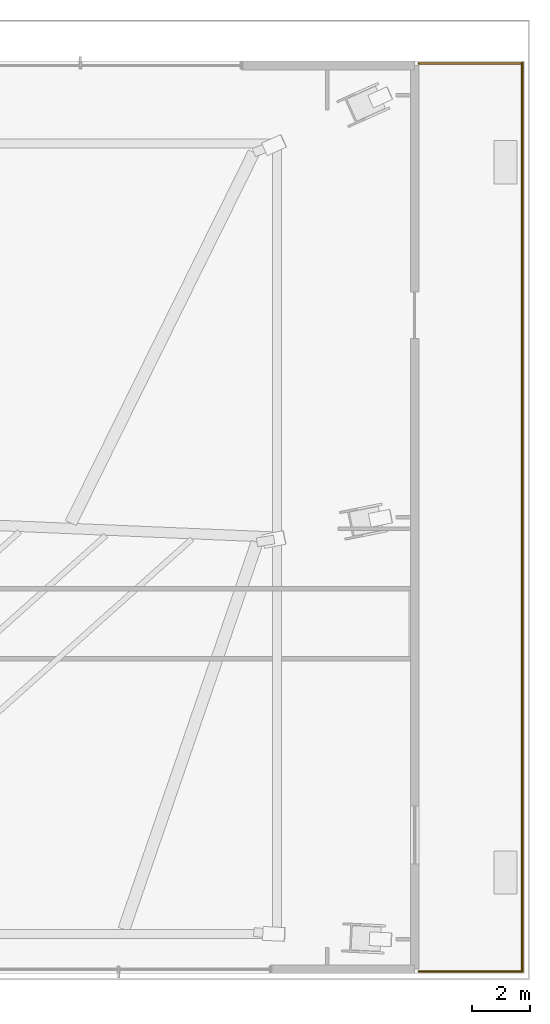
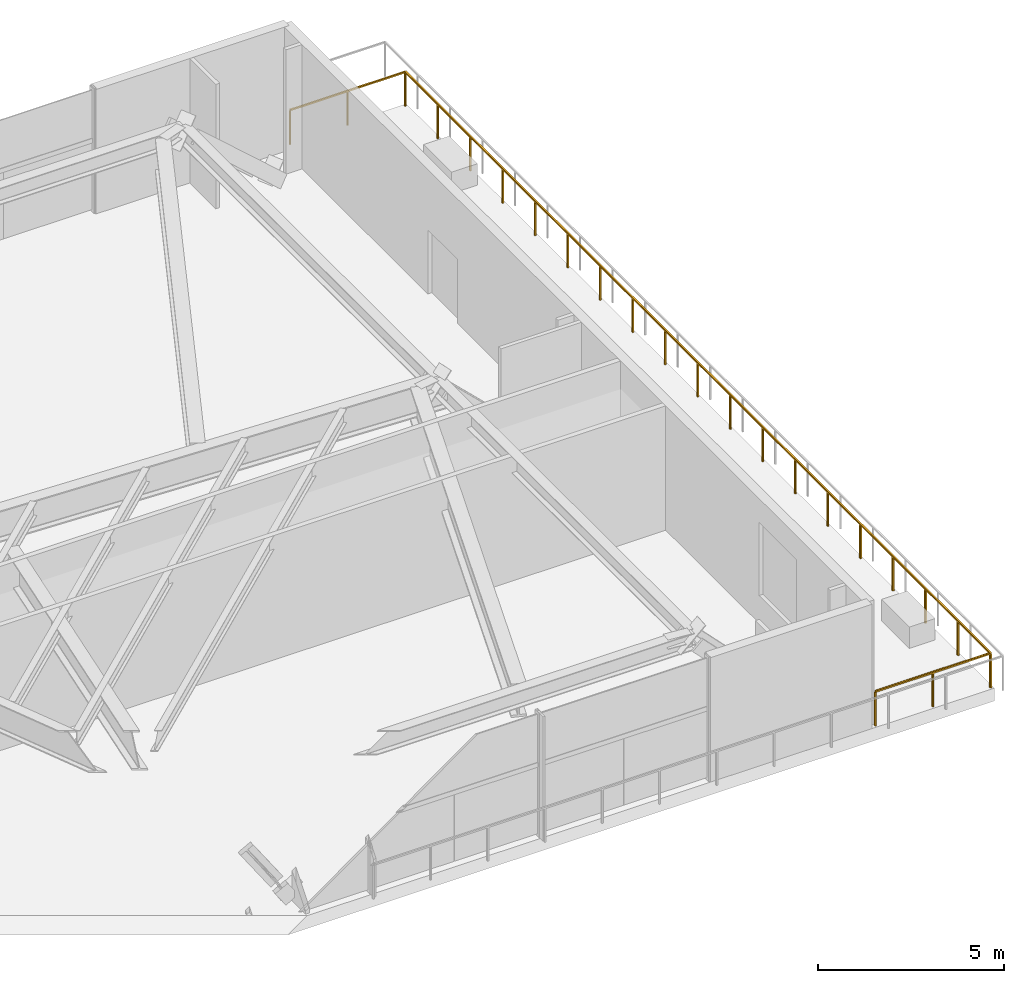
# One storey, part 29 of 30: 2 railings.
"""IFC4 building model written with IfcOpenShell, lengths in metres."""

from ifc_helpers import new_model, si_unit, direction, frame, origin, origin_2d, place, context, subcontext, project, spatial, rectangle, extrude, source, transform, mapped, material, type_object, type_shapes, element, save


model = new_model("IFC4")

# Units and contexts
model_context = context("Model", 3, precision=1e-05, world=origin(), true_north=direction((0.0, 1.0)))
body_context = subcontext(model_context, "Body", "Model", "MODEL_VIEW")
ifc_project = project(units=[si_unit("LENGTHUNIT", "METRE"), si_unit("AREAUNIT", "SQUARE_METRE"), si_unit("VOLUMEUNIT", "CUBIC_METRE"), si_unit("PLANEANGLEUNIT", "RADIAN"), si_unit("MASSUNIT", "GRAM", prefix="KILO")], contexts=[model_context])

# Site, building, storey
site_placement = place(None, origin())
site = spatial("IfcSite", under=ifc_project, at=site_placement, CompositionType="ELEMENT")
building_placement = place(site_placement, origin())
building = spatial("IfcBuilding", under=site, at=building_placement, Name="Astriad Promenade Condominiums", CompositionType="ELEMENT")
storey_placement = place(building_placement, frame((0.0, 0.0, 14.0)))
storey = spatial("IfcBuildingStorey", under=building, at=storey_placement, Name="L03", CompositionType="ELEMENT", Elevation=14.0)

# Railings
ifc_material = material(Name="Anodised Aluminium and Glass Terrace Guardrail", Category="aluminium")
railing_type = type_object("IfcRailingType", Name="GRD-TERR-1150", PredefinedType="GUARDRAIL", material=ifc_material)
shared_shape_1 = source(origin(), body_context, "Body", "SweptSolid", [
    extrude(rectangle(XDim=0.048095703125, YDim=0.048095703125, at=origin_2d()), frame((0.0, 0.0, 1.1259765625), z_axis=(1.0, 0.0, 0.0), x_axis=(0.0, 1.0, 0.0)), (0.0, 0.0, 1.0), 3.56982421875),
    extrude(rectangle(XDim=0.048095703125, YDim=0.048095703125, at=origin_2d()), frame((3.56982421875, 0.0, 1.1259765625), z_axis=(0.0, 1.0, 0.0), x_axis=(-1.0, 0.0, 0.0)), (0.0, 0.0, 1.0), 31.43994140625),
    extrude(rectangle(XDim=0.048095703125, YDim=0.048095703125, at=origin_2d()), frame((3.56982421875, 31.43994140625, 1.1259765625), z_axis=(-1.0, 0.0, 0.0), x_axis=(0.0, -1.0, 0.0)), (0.0, 0.0, 1.0), 3.56982421875),
    extrude(rectangle(XDim=0.0419921875, YDim=0.0419921875, at=origin_2d()), origin(), (0.0, 0.0, 1.0), 1.101806640625),
    extrude(rectangle(XDim=0.0419921875, YDim=0.0419921875, at=origin_2d()), frame((1.784912109375, 0.0, 0.0)), (0.0, 0.0, 1.0), 1.101806640625),
    extrude(rectangle(XDim=0.0419921875, YDim=0.0419921875, at=origin_2d()), frame((3.56982421875, 0.0, 0.0)), (0.0, 0.0, 1.0), 1.101806640625),
    extrude(rectangle(XDim=0.0419921875, YDim=0.0419921875, at=origin_2d()), frame((3.56982421875, 1.74658203125, 0.0)), (0.0, 0.0, 1.0), 1.101806640625),
    extrude(rectangle(XDim=0.0419921875, YDim=0.0419921875, at=origin_2d()), frame((3.56982421875, 3.493408203125, 0.0)), (0.0, 0.0, 1.0), 1.101806640625),
    extrude(rectangle(XDim=0.0419921875, YDim=0.0419921875, at=origin_2d()), frame((3.56982421875, 5.239990234375, 0.0)), (0.0, 0.0, 1.0), 1.101806640625),
    extrude(rectangle(XDim=0.0419921875, YDim=0.0419921875, at=origin_2d()), frame((3.56982421875, 6.986572265625, 0.0)), (0.0, 0.0, 1.0), 1.101806640625),
    extrude(rectangle(XDim=0.0419921875, YDim=0.0419921875, at=origin_2d()), frame((3.56982421875, 8.7333984375, 0.0)), (0.0, 0.0, 1.0), 1.101806640625),
    extrude(rectangle(XDim=0.0419921875, YDim=0.0419921875, at=origin_2d()), frame((3.56982421875, 10.47998046875, 0.0)), (0.0, 0.0, 1.0), 1.101806640625),
    extrude(rectangle(XDim=0.0419921875, YDim=0.0419921875, at=origin_2d()), frame((3.56982421875, 12.2265625, 0.0)), (0.0, 0.0, 1.0), 1.101806640625),
    extrude(rectangle(XDim=0.0419921875, YDim=0.0419921875, at=origin_2d()), frame((3.56982421875, 13.973388671875, 0.0)), (0.0, 0.0, 1.0), 1.101806640625),
    extrude(rectangle(XDim=0.0419921875, YDim=0.0419921875, at=origin_2d()), frame((3.56982421875, 15.719970703125, 0.0)), (0.0, 0.0, 1.0), 1.101806640625),
    extrude(rectangle(XDim=0.0419921875, YDim=0.0419921875, at=origin_2d()), frame((3.56982421875, 17.466552734375, 0.0)), (0.0, 0.0, 1.0), 1.101806640625),
    extrude(rectangle(XDim=0.0419921875, YDim=0.0419921875, at=origin_2d()), frame((3.56982421875, 19.21337890625, 0.0)), (0.0, 0.0, 1.0), 1.101806640625),
    extrude(rectangle(XDim=0.0419921875, YDim=0.0419921875, at=origin_2d()), frame((3.56982421875, 20.9599609375, 0.0)), (0.0, 0.0, 1.0), 1.101806640625),
    extrude(rectangle(XDim=0.0419921875, YDim=0.0419921875, at=origin_2d()), frame((3.56982421875, 22.70654296875, 0.0)), (0.0, 0.0, 1.0), 1.101806640625),
    extrude(rectangle(XDim=0.0419921875, YDim=0.0419921875, at=origin_2d()), frame((3.56982421875, 24.453369140625, 0.0)), (0.0, 0.0, 1.0), 1.101806640625),
    extrude(rectangle(XDim=0.0419921875, YDim=0.0419921875, at=origin_2d()), frame((3.56982421875, 26.199951171875, 0.0)), (0.0, 0.0, 1.0), 1.101806640625),
    extrude(rectangle(XDim=0.0419921875, YDim=0.0419921875, at=origin_2d()), frame((3.56982421875, 27.946533203125, 0.0)), (0.0, 0.0, 1.0), 1.101806640625),
    extrude(rectangle(XDim=0.0419921875, YDim=0.0419921875, at=origin_2d()), frame((3.56982421875, 29.693359375, 0.0)), (0.0, 0.0, 1.0), 1.101806640625),
    extrude(rectangle(XDim=0.0419921875, YDim=0.0419921875, at=origin_2d()), frame((3.56982421875, 31.43994140625, 0.0)), (0.0, 0.0, 1.0), 1.101806640625),
    extrude(rectangle(XDim=0.0419921875, YDim=0.0419921875, at=origin_2d()), frame((1.784912109375, 31.43994140625, 0.0)), (0.0, 0.0, 1.0), 1.101806640625),
    extrude(rectangle(XDim=0.0419921875, YDim=0.0419921875, at=origin_2d()), frame((0.0, 31.43994140625, 0.0)), (0.0, 0.0, 1.0), 1.101806640625),
])
railing_1_placement = place(storey_placement, frame((71.60009765625, 1.47998046875, 0.0)))
element("IfcRailing", 1, at=railing_1_placement, inside=storey, type_object=railing_type, Name="GRD-TER-L03-1", PredefinedType="GUARDRAIL", context=body_context, shape_type="MappedRepresentation", body=[
    mapped(shared_shape_1, transform((0.0, 0.0, 0.0), scale=1.0)),
])
shared_shape_2 = source(origin(), body_context, "Body", "SweptSolid", [
    extrude(rectangle(XDim=0.048095703125, YDim=0.048095703125, at=origin_2d()), frame((0.0, 0.0, 1.1259765625), z_axis=(1.0, 0.0, 0.0), x_axis=(0.0, 1.0, 0.0)), (0.0, 0.0, 1.0), 3.579833984375),
    extrude(rectangle(XDim=0.048095703125, YDim=0.048095703125, at=origin_2d()), frame((3.579833984375, 0.0, 1.1259765625), z_axis=(0.0, 1.0, 0.0), x_axis=(-1.0, 0.0, 0.0)), (0.0, 0.0, 1.0), 31.4619140625),
    extrude(rectangle(XDim=0.0419921875, YDim=0.0419921875, at=origin_2d()), origin(), (0.0, 0.0, 1.0), 1.101806640625),
    extrude(rectangle(XDim=0.0419921875, YDim=0.0419921875, at=origin_2d()), frame((1.7900390625, 0.0, 0.0)), (0.0, 0.0, 1.0), 1.101806640625),
    extrude(rectangle(XDim=0.0419921875, YDim=0.0419921875, at=origin_2d()), frame((3.579833984375, 0.0, 0.0)), (0.0, 0.0, 1.0), 1.101806640625),
    extrude(rectangle(XDim=0.0419921875, YDim=0.0419921875, at=origin_2d()), frame((3.579833984375, 1.747802734375, 0.0)), (0.0, 0.0, 1.0), 1.101806640625),
    extrude(rectangle(XDim=0.0419921875, YDim=0.0419921875, at=origin_2d()), frame((3.579833984375, 3.495849609375, 0.0)), (0.0, 0.0, 1.0), 1.101806640625),
    extrude(rectangle(XDim=0.0419921875, YDim=0.0419921875, at=origin_2d()), frame((3.579833984375, 5.24365234375, 0.0)), (0.0, 0.0, 1.0), 1.101806640625),
    extrude(rectangle(XDim=0.0419921875, YDim=0.0419921875, at=origin_2d()), frame((3.579833984375, 6.991455078125, 0.0)), (0.0, 0.0, 1.0), 1.101806640625),
    extrude(rectangle(XDim=0.0419921875, YDim=0.0419921875, at=origin_2d()), frame((3.579833984375, 8.739501953125, 0.0)), (0.0, 0.0, 1.0), 1.101806640625),
    extrude(rectangle(XDim=0.0419921875, YDim=0.0419921875, at=origin_2d()), frame((3.579833984375, 10.4873046875, 0.0)), (0.0, 0.0, 1.0), 1.101806640625),
    extrude(rectangle(XDim=0.0419921875, YDim=0.0419921875, at=origin_2d()), frame((3.579833984375, 12.235107421875, 0.0)), (0.0, 0.0, 1.0), 1.101806640625),
    extrude(rectangle(XDim=0.0419921875, YDim=0.0419921875, at=origin_2d()), frame((3.579833984375, 13.983154296875, 0.0)), (0.0, 0.0, 1.0), 1.101806640625),
    extrude(rectangle(XDim=0.0419921875, YDim=0.0419921875, at=origin_2d()), frame((3.579833984375, 15.73095703125, 0.0)), (0.0, 0.0, 1.0), 1.101806640625),
    extrude(rectangle(XDim=0.0419921875, YDim=0.0419921875, at=origin_2d()), frame((3.579833984375, 17.478759765625, 0.0)), (0.0, 0.0, 1.0), 1.101806640625),
    extrude(rectangle(XDim=0.0419921875, YDim=0.0419921875, at=origin_2d()), frame((3.579833984375, 19.226806640625, 0.0)), (0.0, 0.0, 1.0), 1.101806640625),
    extrude(rectangle(XDim=0.0419921875, YDim=0.0419921875, at=origin_2d()), frame((3.579833984375, 20.974609375, 0.0)), (0.0, 0.0, 1.0), 1.101806640625),
    extrude(rectangle(XDim=0.0419921875, YDim=0.0419921875, at=origin_2d()), frame((3.579833984375, 22.722412109375, 0.0)), (0.0, 0.0, 1.0), 1.101806640625),
    extrude(rectangle(XDim=0.0419921875, YDim=0.0419921875, at=origin_2d()), frame((3.579833984375, 24.470458984375, 0.0)), (0.0, 0.0, 1.0), 1.101806640625),
    extrude(rectangle(XDim=0.0419921875, YDim=0.0419921875, at=origin_2d()), frame((3.579833984375, 26.21826171875, 0.0)), (0.0, 0.0, 1.0), 1.101806640625),
    extrude(rectangle(XDim=0.0419921875, YDim=0.0419921875, at=origin_2d()), frame((3.579833984375, 27.966064453125, 0.0)), (0.0, 0.0, 1.0), 1.101806640625),
    extrude(rectangle(XDim=0.0419921875, YDim=0.0419921875, at=origin_2d()), frame((3.579833984375, 29.714111328125, 0.0)), (0.0, 0.0, 1.0), 1.101806640625),
    extrude(rectangle(XDim=0.0419921875, YDim=0.0419921875, at=origin_2d()), frame((3.579833984375, 31.4619140625, 0.0)), (0.0, 0.0, 1.0), 1.101806640625),
])
type_shapes(railing_type, [shared_shape_1, shared_shape_2])
railing_2_placement = place(storey_placement, frame((71.60009765625, 1.469970703125, 0.0)))
element("IfcRailing", 2, at=railing_2_placement, inside=storey, type_object=railing_type, Name="GRD-PSTEP-L03-03", PredefinedType="GUARDRAIL", context=body_context, shape_type="MappedRepresentation", body=[
    mapped(shared_shape_2, transform((0.0, 0.0, 0.0), scale=1.0)),
])

save(model, "model.ifc")
